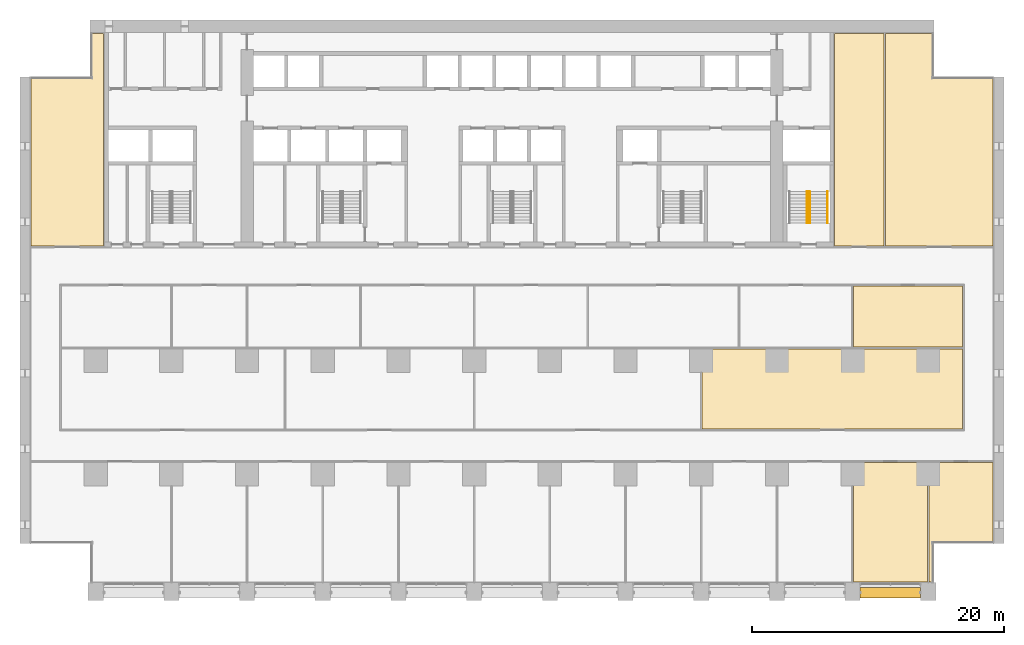
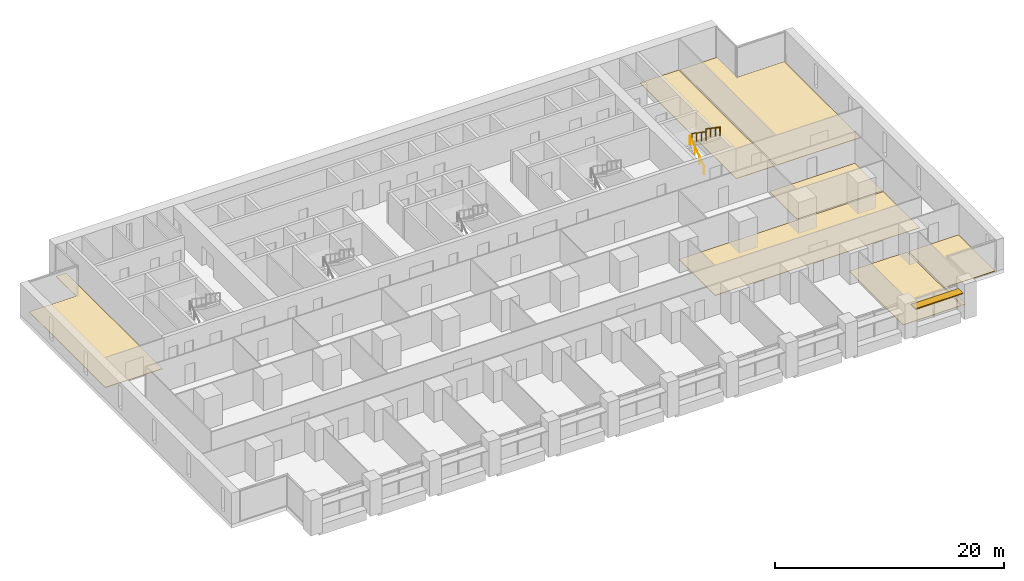
# One storey, part 18 of 18: 7 coverings, 3 railings, 1 shading device, 1 element without a shape of its own.
"""IFC4 building model written with IfcOpenShell, lengths in metres."""

from ifc_helpers import new_model, si_unit, direction, frame, origin, origin_2d, place, context, subcontext, project, spatial, polyline, rectangle, circle, outline, extrude, material, layer, layer_set, material_profile, profile_set, type_object, element, aggregate, save


model = new_model("IFC4")

# Units and contexts
model_context = context("Model", 3, precision=1e-05, world=origin(), true_north=direction((0.0, 1.0)))
body_context = subcontext(model_context, "Body", "Model", "MODEL_VIEW")
ifc_project = project(units=[si_unit("LENGTHUNIT", "METRE"), si_unit("AREAUNIT", "SQUARE_METRE"), si_unit("VOLUMEUNIT", "CUBIC_METRE"), si_unit("PLANEANGLEUNIT", "RADIAN"), si_unit("MASSUNIT", "GRAM", prefix="KILO")], contexts=[model_context])

# Site, building, storey
site_placement = place(None, origin())
site = spatial("IfcSite", under=ifc_project, at=site_placement, CompositionType="ELEMENT")
building_placement = place(site_placement, origin())
building = spatial("IfcBuilding", under=site, at=building_placement, Name="Calvaro Tower", CompositionType="ELEMENT")
storey_placement = place(building_placement, frame((0.0, 0.0, 26.25)))
storey = spatial("IfcBuildingStorey", under=building, at=storey_placement, Name="L05", CompositionType="ELEMENT", Elevation=26.25)

# Shading device
ifc_material_1 = material(Name="Anodised aluminium", Category="aluminium")
ifc_material_profile = material_profile(ifc_material_1, rectangle(XDim=0.800048828125, YDim=0.10009765625, at=origin_2d()), Name="Brise-soleil blade 800 x 100")
ifc_profile_set = profile_set([ifc_material_profile], Name="Anodised aluminium")
shading_device_type = type_object("IfcShadingDeviceType", Name="Brise-soleil blade 800 x 100", PredefinedType="JALOUSIE", material=ifc_profile_set)
shading_device_placement = place(storey_placement, frame((66.60009765625, 0.60009765625, 2.300048828125), z_axis=(1.0, 0.0, 0.0), x_axis=(0.0, 1.0, 0.0)))
element("IfcShadingDevice", 1, at=shading_device_placement, inside=storey, type_object=shading_device_type, Name="Brise-soleil blade 11", PredefinedType="JALOUSIE", context=body_context, shape_type="SweptSolid", body=[
    extrude(rectangle(XDim=0.800048828125, YDim=0.10009765625, at=origin_2d()), origin(), (0.0, 0.0, 1.0), 4.7998046875),
])

# Coverings
ifc_material_2 = material(Name="Cement screed with carpet tile finish")
ifc_layer = layer(ifc_material_2, 0.050048828125)
ifc_layer_set = layer_set([ifc_layer], Name="Cement screed with carpet tile finish")
covering_type = type_object("IfcCoveringType", Name="Floor finish 50", PredefinedType="FLOORING", material=ifc_layer_set)
covering_1_placement = place(storey_placement, origin())
element("IfcCovering", 2, at=covering_1_placement, inside=storey, type_object=covering_type, Name="Floor finish 07.11", PredefinedType="FLOORING", context=body_context, shape_type="SweptSolid", body=[
    extrude(outline(polyline([(66.070068359375, 10.929931640625), (71.929931640625, 10.929931640625), (71.929931640625, 1.469970703125), (66.070068359375, 1.469970703125), (66.070068359375, 10.929931640625)])), origin(), (0.0, 0.0, 1.0), 0.050048828125),
])
covering_2_placement = place(storey_placement, origin())
element("IfcCovering", 3, at=covering_2_placement, inside=storey, type_object=covering_type, Name="Floor finish 07.13", PredefinedType="FLOORING", context=body_context, shape_type="SweptSolid", body=[
    extrude(outline(polyline([(77.1298828125, 4.570068359375), (72.3798828125, 4.570068359375), (72.3798828125, 1.469970703125), (72.070068359375, 1.469970703125), (72.070068359375, 10.929931640625), (77.1298828125, 10.929931640625), (77.1298828125, 4.570068359375)])), origin(), (0.0, 0.0, 1.0), 0.050048828125),
])
covering_3_placement = place(storey_placement, origin())
element("IfcCovering", 4, at=covering_3_placement, inside=storey, type_object=covering_type, Name="Floor finish 07.17", PredefinedType="FLOORING", context=body_context, shape_type="SweptSolid", body=[
    extrude(outline(polyline([(54.070068359375, 13.570068359375), (54.070068359375, 19.929931640625), (74.72998046875, 19.929931640625), (74.72998046875, 13.570068359375), (54.070068359375, 13.570068359375)])), origin(), (0.0, 0.0, 1.0), 0.050048828125),
])
covering_4_placement = place(storey_placement, origin())
element("IfcCovering", 5, at=covering_4_placement, inside=storey, type_object=covering_type, Name="Floor finish 07.25", PredefinedType="FLOORING", context=body_context, shape_type="SweptSolid", body=[
    extrude(outline(polyline([(66.070068359375, 20.070068359375), (66.070068359375, 24.929931640625), (74.72998046875, 24.929931640625), (74.72998046875, 20.070068359375), (66.070068359375, 20.070068359375)])), origin(), (0.0, 0.0, 1.0), 0.050048828125),
])
covering_5_placement = place(storey_placement, origin())
element("IfcCovering", 6, at=covering_5_placement, inside=storey, type_object=covering_type, Name="Floor finish 07.26", PredefinedType="FLOORING", context=body_context, shape_type="SweptSolid", body=[
    extrude(outline(polyline([(6.6298828125, 28.070068359375), (0.8701171875, 28.070068359375), (0.8701171875, 41.429931640625), (5.6201171875, 41.429931640625), (5.6201171875, 44.929931640625), (6.6298828125, 44.929931640625), (6.6298828125, 28.070068359375)])), origin(), (0.0, 0.0, 1.0), 0.050048828125),
])
covering_6_placement = place(storey_placement, origin())
element("IfcCovering", 7, at=covering_6_placement, inside=storey, type_object=covering_type, Name="Floor finish 07.28", PredefinedType="FLOORING", context=body_context, shape_type="SweptSolid", body=[
    extrude(outline(polyline([(68.47998046875, 28.070068359375), (64.570068359375, 28.070068359375), (64.570068359375, 44.929931640625), (68.47998046875, 44.929931640625), (68.47998046875, 28.070068359375)])), origin(), (0.0, 0.0, 1.0), 0.050048828125),
])
covering_7_placement = place(storey_placement, origin())
element("IfcCovering", 8, at=covering_7_placement, inside=storey, type_object=covering_type, Name="Floor finish 07.27", PredefinedType="FLOORING", context=body_context, shape_type="SweptSolid", body=[
    extrude(outline(polyline([(77.1298828125, 28.070068359375), (68.6201171875, 28.070068359375), (68.6201171875, 44.929931640625), (72.3798828125, 44.929931640625), (72.3798828125, 41.429931640625), (77.1298828125, 41.429931640625), (77.1298828125, 28.070068359375)])), origin(), (0.0, 0.0, 1.0), 0.050048828125),
])

# Stair, railings
ifc_material_3 = material(Name="Concrete C40/50", Category="concrete")
stair_type = type_object("IfcStairType", Name="Exit stair 1400 2 flights", PredefinedType="HALF_TURN_STAIR", material=ifc_material_3)
stair_placement = place(storey_placement, origin())
stair = element("IfcStair", 9, at=stair_placement, inside=storey, type_object=stair_type, Name="Exit stair S5", PredefinedType="HALF_TURN_STAIR")
ifc_material_4 = material(Name="Stainless steel", Category="steel")
railing_type = type_object("IfcRailingType", Name="Stair handrail", PredefinedType="HANDRAIL", material=ifc_material_4)
railing_1_placement = place(storey_placement, frame((62.39990234375, 29.89990234375, 0.17041015625)))
railing_1 = element("IfcRailing", 10, at=railing_1_placement, type_object=railing_type, Name="Exit stair 5 handrail", PredefinedType="HANDRAIL", context=body_context, shape_type="SweptSolid", body=[
    extrude(circle(Radius=0.02392578125, at=origin_2d()), frame((0.0, 0.0, 0.8759765625), z_axis=(0.0, 0.826220514629, 0.563346839174), x_axis=(-1.0, 0.0, 0.0)), (0.0, 0.0, 1.0), 3.02587890625),
    extrude(circle(Radius=0.02099609375, at=origin_2d()), frame((0.0, 0.017333984375, 0.01171875)), (0.0, 0.0, 1.0), 0.851806640625),
    extrude(circle(Radius=0.02099609375, at=origin_2d()), frame((0.0, 0.833251953125, 0.568115234375)), (0.0, 0.0, 1.0), 0.851806640625),
    extrude(circle(Radius=0.02099609375, at=origin_2d()), frame((0.0, 1.666748046875, 1.136474609375)), (0.0, 0.0, 1.0), 0.851806640625),
    extrude(circle(Radius=0.02099609375, at=origin_2d()), frame((0.0, 2.482666015625, 1.69287109375)), (0.0, 0.0, 1.0), 0.851806640625),
])
railing_2_placement = place(storey_placement, frame((62.60009765625, 32.39990234375, 2.04541015625)))
railing_2 = element("IfcRailing", 11, at=railing_2_placement, type_object=railing_type, Name="Exit stair 5 handrail", PredefinedType="HANDRAIL", context=body_context, shape_type="SweptSolid", body=[
    extrude(circle(Radius=0.02392578125, at=origin_2d()), frame((0.0, 0.0, 0.8759765625), z_axis=(0.0, -0.826220514629, 0.563346839174), x_axis=(1.0, 0.0, 0.0)), (0.0, 0.0, 1.0), 3.02587890625),
    extrude(circle(Radius=0.02099609375, at=origin_2d()), frame((0.0, -0.017333984375, 0.01171875)), (0.0, 0.0, 1.0), 0.851806640625),
    extrude(circle(Radius=0.02099609375, at=origin_2d()), frame((0.0, -0.833251953125, 0.568115234375)), (0.0, 0.0, 1.0), 0.851806640625),
    extrude(circle(Radius=0.02099609375, at=origin_2d()), frame((0.0, -1.666748046875, 1.136474609375)), (0.0, 0.0, 1.0), 0.851806640625),
    extrude(circle(Radius=0.02099609375, at=origin_2d()), frame((0.0, -2.482666015625, 1.69287109375)), (0.0, 0.0, 1.0), 0.851806640625),
])
railing_3_placement = place(storey_placement, frame((64.0, 32.39990234375, 2.04541015625)))
railing_3 = element("IfcRailing", 12, at=railing_3_placement, type_object=railing_type, Name="Exit stair 5 handrail", PredefinedType="HANDRAIL", context=body_context, shape_type="SweptSolid", body=[
    extrude(circle(Radius=0.02392578125, at=origin_2d()), frame((0.0, 0.0, 0.8759765625), z_axis=(0.0, -0.826220514629, 0.563346839174), x_axis=(1.0, 0.0, 0.0)), (0.0, 0.0, 1.0), 3.02587890625),
    extrude(circle(Radius=0.02099609375, at=origin_2d()), frame((0.0, -0.017333984375, 0.01171875)), (0.0, 0.0, 1.0), 0.851806640625),
    extrude(circle(Radius=0.02099609375, at=origin_2d()), frame((0.0, -0.833251953125, 0.568115234375)), (0.0, 0.0, 1.0), 0.851806640625),
    extrude(circle(Radius=0.02099609375, at=origin_2d()), frame((0.0, -1.666748046875, 1.136474609375)), (0.0, 0.0, 1.0), 0.851806640625),
    extrude(circle(Radius=0.02099609375, at=origin_2d()), frame((0.0, -2.482666015625, 1.69287109375)), (0.0, 0.0, 1.0), 0.851806640625),
])
aggregate(stair, [railing_1, railing_2, railing_3])

save(model, "model.ifc")
